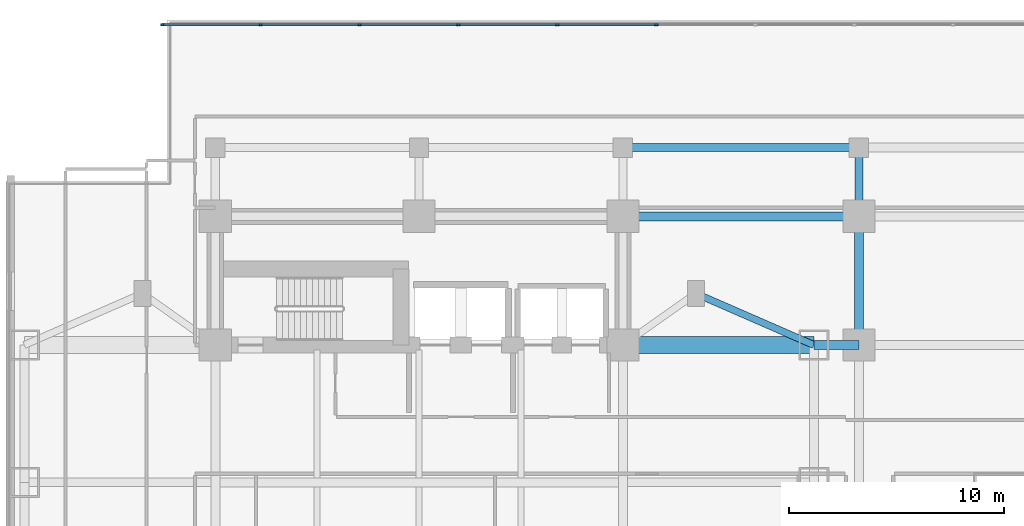
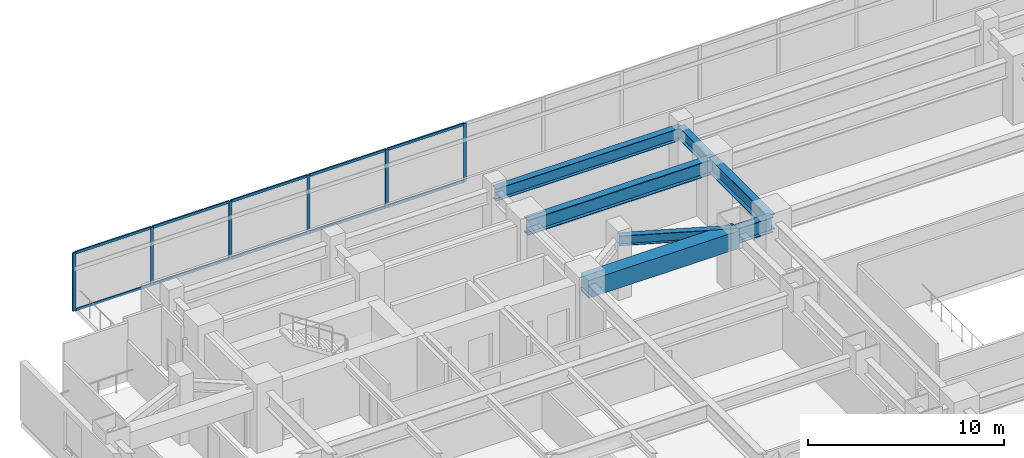
# One storey, part 6 of 26: 16 members, 7 beams, 1 element without a shape of its own.
"""IFC4 building model written with IfcOpenShell, lengths in metres."""

from ifc_helpers import new_model, si_unit, direction, frame, origin, origin_2d, place, context, subcontext, project, spatial, rectangle, i_section, extrude, material, material_profile, profile_set, type_object, element, aggregate, save


model = new_model("IFC4")

# Units and contexts
model_context = context("Model", 3, precision=1e-05, world=origin(), true_north=direction((0.0, 1.0)))
body_context = subcontext(model_context, "Body", "Model", "MODEL_VIEW")
ifc_project = project(units=[si_unit("LENGTHUNIT", "METRE"), si_unit("AREAUNIT", "SQUARE_METRE"), si_unit("VOLUMEUNIT", "CUBIC_METRE"), si_unit("PLANEANGLEUNIT", "RADIAN"), si_unit("MASSUNIT", "GRAM", prefix="KILO")], contexts=[model_context])

# Site, building, storey
site_placement = place(None, origin())
site = spatial("IfcSite", under=ifc_project, at=site_placement, CompositionType="ELEMENT")
building_placement = place(site_placement, origin())
building = spatial("IfcBuilding", under=site, at=building_placement, Name="Mirazonda Arch Towers", CompositionType="ELEMENT")
storey_placement = place(building_placement, frame((0.0, 0.0, 13.800048828125)))
storey = spatial("IfcBuildingStorey", under=building, at=storey_placement, Name="L03", CompositionType="ELEMENT", Elevation=13.800048828125)

# Beams
ifc_material_1 = material(Name="Steel ASTM A992 Grade 50", Category="steel")
ifc_material_profile_1 = material_profile(ifc_material_1, i_section(OverallWidth=0.381103515625, OverallDepth=0.77294921875, WebThickness=0.0166015625, FlangeThickness=0.027099609375, at=origin_2d()), Name="W30X173")
ifc_profile_set_1 = profile_set([ifc_material_profile_1], Name="Steel ASTM A992 Grade 50")
beam_type_1 = type_object("IfcBeamType", Name="BM-EXT-W30X173", PredefinedType="USERDEFINED", material=ifc_profile_set_1)
beam_1_placement = place(storey_placement, frame((30.0, 46.800048828125, 3.263427734375), z_axis=(1.0, 0.0, 0.0), x_axis=(0.0, 1.0, 0.0)))
element("IfcBeam", 1, at=beam_1_placement, inside=storey, type_object=beam_type_1, Name="L03 Floor Beam BM-POD-L03-PN-3", ObjectType="GIRDER", PredefinedType="USERDEFINED", context=body_context, shape_type="SweptSolid", body=[
    extrude(i_section(OverallWidth=0.381103515625, OverallDepth=0.77294921875, WebThickness=0.0166015625, FlangeThickness=0.027099609375, at=origin_2d()), origin(), (0.0, 0.0, 1.0), 11.0),
])
ifc_material_profile_2 = material_profile(ifc_material_1, i_section(OverallWidth=0.423095703125, OverallDepth=0.947998046875, WebThickness=0.02392578125, FlangeThickness=0.042724609375, at=origin_2d()), Name="W36X302")
ifc_profile_set_2 = profile_set([ifc_material_profile_2], Name="Steel ASTM A992 Grade 50")
beam_type_2 = type_object("IfcBeamType", Name="BM-EXT-W36X302", PredefinedType="USERDEFINED", material=ifc_profile_set_2)
beam_2_placement = place(storey_placement, frame((41.0, 37.60009765625, 3.176025390625), z_axis=(0.0, 1.0, 0.0), x_axis=(-1.0, 0.0, 0.0)))
element("IfcBeam", 2, at=beam_2_placement, inside=storey, type_object=beam_type_2, Name="L03 Floor Beam BM-POD-L03-PA-WL3", ObjectType="GIRDER", PredefinedType="USERDEFINED", context=body_context, shape_type="SweptSolid", body=[
    extrude(i_section(OverallWidth=0.423095703125, OverallDepth=0.947998046875, WebThickness=0.02392578125, FlangeThickness=0.042724609375, at=origin_2d()), origin(), (0.0, 0.0, 1.0), 6.0),
])
ifc_material_profile_3 = material_profile(ifc_material_1, i_section(OverallWidth=0.324951171875, OverallDepth=0.615966796875, WebThickness=0.013916015625, FlangeThickness=0.021484375, at=origin_2d()), Name="W24X117")
ifc_profile_set_3 = profile_set([ifc_material_profile_3], Name="Steel ASTM A992 Grade 50")
beam_type_3 = type_object("IfcBeamType", Name="BM-INT-W24X117", PredefinedType="BEAM", material=ifc_profile_set_3)
beam_3_placement = place(storey_placement, frame((33.39990234375, 40.0, 3.342041015625), z_axis=(0.916545343703, -0.399930785183, 0.0), x_axis=(0.399930785183, 0.916545343703, 0.0)))
element("IfcBeam", 3, at=beam_3_placement, inside=storey, type_object=beam_type_3, Name="L03 Floor Beam BM-T1-L03-PL-NE2", PredefinedType="BEAM", context=body_context, shape_type="SweptSolid", body=[
    extrude(i_section(OverallWidth=0.324951171875, OverallDepth=0.615966796875, WebThickness=0.013916015625, FlangeThickness=0.021484375, at=origin_2d()), origin(), (0.0, 0.0, 1.0), 6.000732421875),
])
ifc_material_profile_4 = material_profile(ifc_material_1, i_section(OverallWidth=0.381103515625, OverallDepth=0.77294921875, WebThickness=0.0166015625, FlangeThickness=0.027099609375, at=origin_2d()), Name="W30X173")
ifc_profile_set_4 = profile_set([ifc_material_profile_4], Name="Steel ASTM A992 Grade 50")
beam_type_4 = type_object("IfcBeamType", Name="BM-INT-W30X173", PredefinedType="USERDEFINED", material=ifc_profile_set_4)
beam_4_placement = place(storey_placement, frame((41.0, 43.60009765625, 3.263427734375), z_axis=(0.0, 1.0, 0.0), x_axis=(-1.0, 0.0, 0.0)))
element("IfcBeam", 4, at=beam_4_placement, inside=storey, type_object=beam_type_4, Name="L03 Floor Beam BM-POD-L03-PCN-4", ObjectType="GIRDER", PredefinedType="USERDEFINED", context=body_context, shape_type="SweptSolid", body=[
    extrude(i_section(OverallWidth=0.381103515625, OverallDepth=0.77294921875, WebThickness=0.0166015625, FlangeThickness=0.027099609375, at=origin_2d()), origin(), (0.0, 0.0, 1.0), 3.199951171875),
])
ifc_material_profile_5 = material_profile(ifc_material_1, i_section(OverallWidth=0.423095703125, OverallDepth=0.947998046875, WebThickness=0.02392578125, FlangeThickness=0.042724609375, at=origin_2d()), Name="W36X302")
ifc_profile_set_5 = profile_set([ifc_material_profile_5], Name="Steel ASTM A992 Grade 50")
beam_type_5 = type_object("IfcBeamType", Name="BM-INT-W36X302", PredefinedType="USERDEFINED", material=ifc_profile_set_5)
beam_5_placement = place(storey_placement, frame((38.89990234375, 37.60009765625, 3.176025390625), z_axis=(1.0, 0.0, 0.0), x_axis=(0.0, 1.0, 0.0)))
element("IfcBeam", 5, at=beam_5_placement, inside=storey, type_object=beam_type_5, Name="L03 Floor Beam BM-POD-L03-PA-W3", ObjectType="GIRDER", PredefinedType="USERDEFINED", context=body_context, shape_type="SweptSolid", body=[
    extrude(i_section(OverallWidth=0.423095703125, OverallDepth=0.947998046875, WebThickness=0.02392578125, FlangeThickness=0.042724609375, at=origin_2d()), origin(), (0.0, 0.0, 1.0), 2.10009765625),
])
beam_6_placement = place(storey_placement, frame((30.0, 43.60009765625, 3.176025390625), z_axis=(1.0, 0.0, 0.0), x_axis=(0.0, 1.0, 0.0)))
element("IfcBeam", 6, at=beam_6_placement, inside=storey, type_object=beam_type_5, Name="L03 Floor Beam BM-POD-L03-PA-W4", ObjectType="GIRDER", PredefinedType="USERDEFINED", context=body_context, shape_type="SweptSolid", body=[
    extrude(i_section(OverallWidth=0.423095703125, OverallDepth=0.947998046875, WebThickness=0.02392578125, FlangeThickness=0.042724609375, at=origin_2d()), origin(), (0.0, 0.0, 1.0), 11.0),
])
ifc_material_2 = material(Name="Concrete C60/75", Category="concrete")
ifc_material_profile_6 = material_profile(ifc_material_2, rectangle(XDim=0.800048828125, YDim=1.10009765625, at=origin_2d()), Name="RCCB800x1100")
ifc_profile_set_6 = profile_set([ifc_material_profile_6], Name="Concrete C60/75")
beam_type_6 = type_object("IfcBeamType", Name="CB-INT-RCCB800x1100", PredefinedType="SPANDREL", material=ifc_profile_set_6)
beam_7_placement = place(storey_placement, frame((30.0, 37.60009765625, 3.099853515625), z_axis=(1.0, 0.0, 0.0), x_axis=(0.0, 1.0, 0.0)))
element("IfcBeam", 7, at=beam_7_placement, inside=storey, type_object=beam_type_6, Name="L03 Floor Beam CB-T1-L03-NE", PredefinedType="SPANDREL", context=body_context, shape_type="SweptSolid", body=[
    extrude(rectangle(XDim=0.800048828125, YDim=1.10009765625, at=origin_2d()), origin(), (0.0, 0.0, 1.0), 8.89990234375),
])

# Curtain wall, members
ifc_material_3 = material(Name="Anodised Aluminium and Low-E Glass", Category="aluminium")
curtain_wall_type = type_object("IfcCurtainWallType", Name="CW-POD-STORE", PredefinedType="NOTDEFINED", material=ifc_material_3)
curtain_wall_placement = place(storey_placement, origin())
curtain_wall = element("IfcCurtainWall", 8, at=curtain_wall_placement, inside=storey, type_object=curtain_wall_type, Name="L03 Curtain Wall CW-L03-N1", PredefinedType="NOTDEFINED")
ifc_material_4 = material(Name="Anodised Aluminium Alloy", Category="aluminium")
ifc_material_profile_7 = material_profile(ifc_material_4, rectangle(XDim=0.080078125, YDim=0.179931640625, at=origin_2d()), Name="ALU-MULL-80x180")
ifc_profile_set_7 = profile_set([ifc_material_profile_7], Name="Anodised Aluminium Alloy")
member_type_1 = type_object("IfcMemberType", Name="MULL-CW-POD-STORE", PredefinedType="MULLION", material=ifc_profile_set_7)
member_1_placement = place(storey_placement, frame((8.5400390625, 52.530029296875, 0.0), z_axis=(0.0, 0.0, 1.0), x_axis=(0.0, 1.0, 0.0)))
member_1 = element("IfcMember", 9, at=member_1_placement, type_object=member_type_1, Name="CW-102 mullion 1", PredefinedType="MULLION", context=body_context, shape_type="SweptSolid", body=[
    extrude(rectangle(XDim=0.080078125, YDim=0.179931640625, at=origin_2d()), origin(), (0.0, 0.0, 1.0), 3.6298828125),
])
member_2_placement = place(storey_placement, frame((13.111083984375, 52.530029296875, 0.0), z_axis=(0.0, 0.0, 1.0), x_axis=(0.0, 1.0, 0.0)))
member_2 = element("IfcMember", 10, at=member_2_placement, type_object=member_type_1, Name="CW-102 mullion 2", PredefinedType="MULLION", context=body_context, shape_type="SweptSolid", body=[
    extrude(rectangle(XDim=0.080078125, YDim=0.179931640625, at=origin_2d()), origin(), (0.0, 0.0, 1.0), 3.6298828125),
])
member_3_placement = place(storey_placement, frame((17.72216796875, 52.530029296875, 0.0), z_axis=(0.0, 0.0, 1.0), x_axis=(0.0, 1.0, 0.0)))
member_3 = element("IfcMember", 11, at=member_3_placement, type_object=member_type_1, Name="CW-102 mullion 3", PredefinedType="MULLION", context=body_context, shape_type="SweptSolid", body=[
    extrude(rectangle(XDim=0.080078125, YDim=0.179931640625, at=origin_2d()), origin(), (0.0, 0.0, 1.0), 3.6298828125),
])
member_4_placement = place(storey_placement, frame((22.333251953125, 52.530029296875, 0.0), z_axis=(0.0, 0.0, 1.0), x_axis=(0.0, 1.0, 0.0)))
member_4 = element("IfcMember", 12, at=member_4_placement, type_object=member_type_1, Name="CW-102 mullion 4", PredefinedType="MULLION", context=body_context, shape_type="SweptSolid", body=[
    extrude(rectangle(XDim=0.080078125, YDim=0.179931640625, at=origin_2d()), origin(), (0.0, 0.0, 1.0), 3.6298828125),
])
member_5_placement = place(storey_placement, frame((26.9443359375, 52.530029296875, 0.0), z_axis=(0.0, 0.0, 1.0), x_axis=(0.0, 1.0, 0.0)))
member_5 = element("IfcMember", 13, at=member_5_placement, type_object=member_type_1, Name="CW-102 mullion 5", PredefinedType="MULLION", context=body_context, shape_type="SweptSolid", body=[
    extrude(rectangle(XDim=0.080078125, YDim=0.179931640625, at=origin_2d()), origin(), (0.0, 0.0, 1.0), 3.6298828125),
])
member_6_placement = place(storey_placement, frame((31.5556640625, 52.530029296875, 0.0), z_axis=(0.0, 0.0, 1.0), x_axis=(0.0, 1.0, 0.0)))
member_6 = element("IfcMember", 14, at=member_6_placement, type_object=member_type_1, Name="CW-102 mullion 6", PredefinedType="MULLION", context=body_context, shape_type="SweptSolid", body=[
    extrude(rectangle(XDim=0.080078125, YDim=0.179931640625, at=origin_2d()), origin(), (0.0, 0.0, 1.0), 3.6298828125),
])
ifc_material_profile_8 = material_profile(ifc_material_4, rectangle(XDim=0.080078125, YDim=0.159912109375, at=origin_2d()), Name="ALU-TRAN-80x160")
ifc_profile_set_8 = profile_set([ifc_material_profile_8], Name="Anodised Aluminium Alloy")
member_type_2 = type_object("IfcMemberType", Name="TRAN-CW-POD-STORE", PredefinedType="USERDEFINED", material=ifc_profile_set_8)
member_7_placement = place(storey_placement, frame((8.580078125, 52.530029296875, 0.0400390625), z_axis=(1.0, 0.0, 0.0), x_axis=(0.0, 1.0, 0.0)))
member_7 = element("IfcMember", 15, at=member_7_placement, type_object=member_type_2, Name="CW-102 transom 1.1", ObjectType="TRANSOM", PredefinedType="USERDEFINED", context=body_context, shape_type="SweptSolid", body=[
    extrude(rectangle(XDim=0.080078125, YDim=0.159912109375, at=origin_2d()), origin(), (0.0, 0.0, 1.0), 4.490966796875),
])
member_8_placement = place(storey_placement, frame((8.580078125, 52.530029296875, 3.58984375), z_axis=(1.0, 0.0, 0.0), x_axis=(0.0, 1.0, 0.0)))
member_8 = element("IfcMember", 16, at=member_8_placement, type_object=member_type_2, Name="CW-102 transom 1.2", ObjectType="TRANSOM", PredefinedType="USERDEFINED", context=body_context, shape_type="SweptSolid", body=[
    extrude(rectangle(XDim=0.080078125, YDim=0.159912109375, at=origin_2d()), origin(), (0.0, 0.0, 1.0), 4.490966796875),
])
member_9_placement = place(storey_placement, frame((13.151123046875, 52.530029296875, 0.0400390625), z_axis=(1.0, 0.0, 0.0), x_axis=(0.0, 1.0, 0.0)))
member_9 = element("IfcMember", 17, at=member_9_placement, type_object=member_type_2, Name="CW-102 transom 2.1", ObjectType="TRANSOM", PredefinedType="USERDEFINED", context=body_context, shape_type="SweptSolid", body=[
    extrude(rectangle(XDim=0.080078125, YDim=0.159912109375, at=origin_2d()), origin(), (0.0, 0.0, 1.0), 4.531005859375),
])
member_10_placement = place(storey_placement, frame((13.151123046875, 52.530029296875, 3.58984375), z_axis=(1.0, 0.0, 0.0), x_axis=(0.0, 1.0, 0.0)))
member_10 = element("IfcMember", 18, at=member_10_placement, type_object=member_type_2, Name="CW-102 transom 2.2", ObjectType="TRANSOM", PredefinedType="USERDEFINED", context=body_context, shape_type="SweptSolid", body=[
    extrude(rectangle(XDim=0.080078125, YDim=0.159912109375, at=origin_2d()), origin(), (0.0, 0.0, 1.0), 4.531005859375),
])
member_11_placement = place(storey_placement, frame((17.76220703125, 52.530029296875, 0.0400390625), z_axis=(1.0, 0.0, 0.0), x_axis=(0.0, 1.0, 0.0)))
member_11 = element("IfcMember", 19, at=member_11_placement, type_object=member_type_2, Name="CW-102 transom 3.1", ObjectType="TRANSOM", PredefinedType="USERDEFINED", context=body_context, shape_type="SweptSolid", body=[
    extrude(rectangle(XDim=0.080078125, YDim=0.159912109375, at=origin_2d()), origin(), (0.0, 0.0, 1.0), 4.531005859375),
])
member_12_placement = place(storey_placement, frame((17.76220703125, 52.530029296875, 3.58984375), z_axis=(1.0, 0.0, 0.0), x_axis=(0.0, 1.0, 0.0)))
member_12 = element("IfcMember", 20, at=member_12_placement, type_object=member_type_2, Name="CW-102 transom 3.2", ObjectType="TRANSOM", PredefinedType="USERDEFINED", context=body_context, shape_type="SweptSolid", body=[
    extrude(rectangle(XDim=0.080078125, YDim=0.159912109375, at=origin_2d()), origin(), (0.0, 0.0, 1.0), 4.531005859375),
])
member_13_placement = place(storey_placement, frame((22.373291015625, 52.530029296875, 0.0400390625), z_axis=(1.0, 0.0, 0.0), x_axis=(0.0, 1.0, 0.0)))
member_13 = element("IfcMember", 21, at=member_13_placement, type_object=member_type_2, Name="CW-102 transom 4.1", ObjectType="TRANSOM", PredefinedType="USERDEFINED", context=body_context, shape_type="SweptSolid", body=[
    extrude(rectangle(XDim=0.080078125, YDim=0.159912109375, at=origin_2d()), origin(), (0.0, 0.0, 1.0), 4.53125),
])
member_14_placement = place(storey_placement, frame((22.373291015625, 52.530029296875, 3.58984375), z_axis=(1.0, 0.0, 0.0), x_axis=(0.0, 1.0, 0.0)))
member_14 = element("IfcMember", 22, at=member_14_placement, type_object=member_type_2, Name="CW-102 transom 4.2", ObjectType="TRANSOM", PredefinedType="USERDEFINED", context=body_context, shape_type="SweptSolid", body=[
    extrude(rectangle(XDim=0.080078125, YDim=0.159912109375, at=origin_2d()), origin(), (0.0, 0.0, 1.0), 4.53125),
])
member_15_placement = place(storey_placement, frame((26.984375, 52.530029296875, 0.0400390625), z_axis=(1.0, 0.0, 0.0), x_axis=(0.0, 1.0, 0.0)))
member_15 = element("IfcMember", 23, at=member_15_placement, type_object=member_type_2, Name="CW-102 transom 5.1", ObjectType="TRANSOM", PredefinedType="USERDEFINED", context=body_context, shape_type="SweptSolid", body=[
    extrude(rectangle(XDim=0.080078125, YDim=0.159912109375, at=origin_2d()), origin(), (0.0, 0.0, 1.0), 4.53125),
])
member_16_placement = place(storey_placement, frame((26.984375, 52.530029296875, 3.58984375), z_axis=(1.0, 0.0, 0.0), x_axis=(0.0, 1.0, 0.0)))
member_16 = element("IfcMember", 24, at=member_16_placement, type_object=member_type_2, Name="CW-102 transom 5.2", ObjectType="TRANSOM", PredefinedType="USERDEFINED", context=body_context, shape_type="SweptSolid", body=[
    extrude(rectangle(XDim=0.080078125, YDim=0.159912109375, at=origin_2d()), origin(), (0.0, 0.0, 1.0), 4.53125),
])
aggregate(curtain_wall, [member_1, member_2, member_3, member_4, member_5, member_6, member_7, member_8, member_9, member_10, member_11, member_12, member_13, member_14, member_15, member_16])

save(model, "model.ifc")
